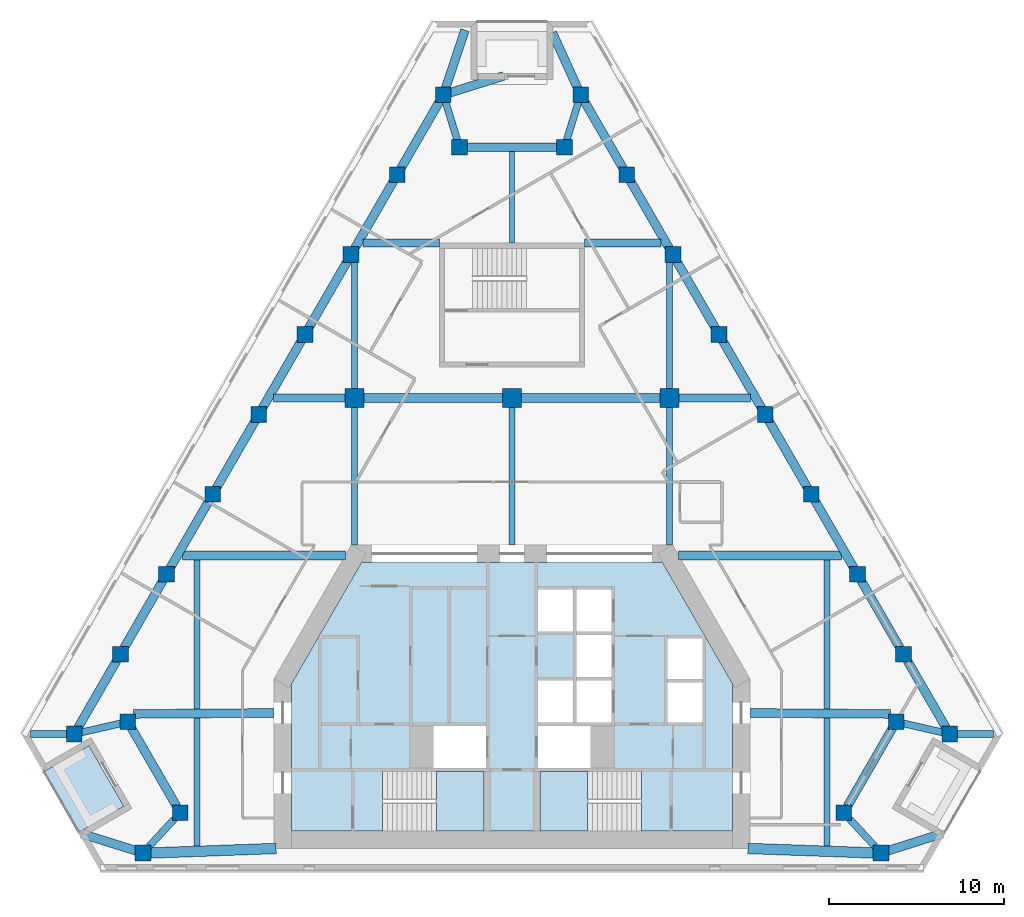
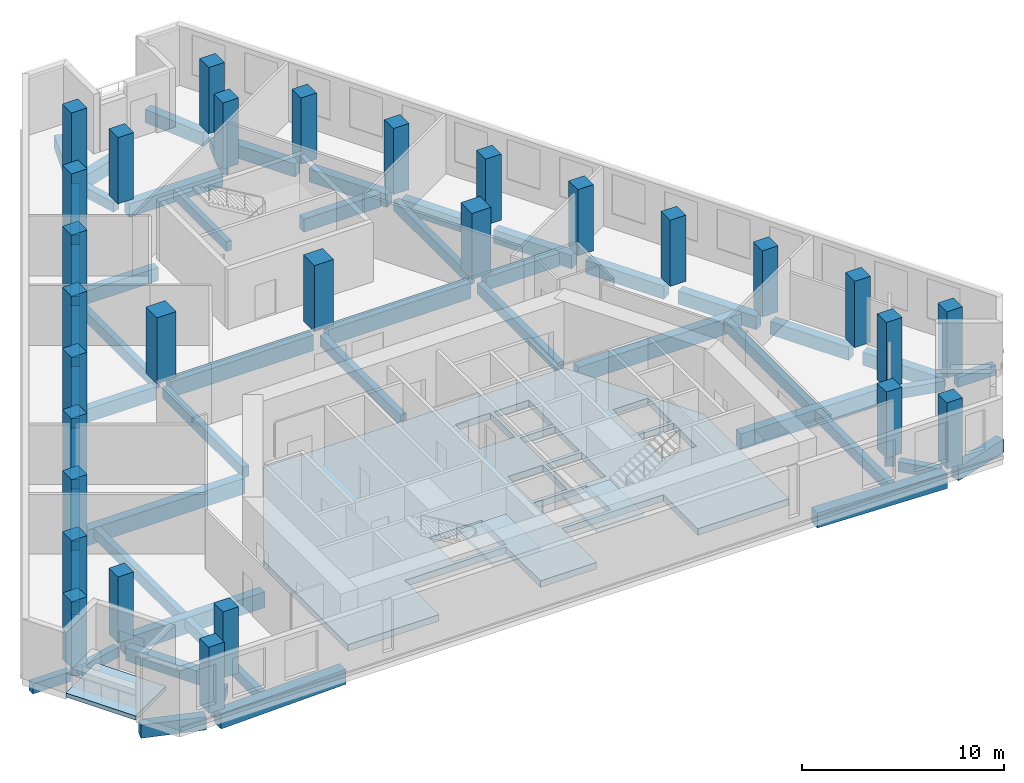
# One storey, part 1 of 9: 54 beams, 29 columns, 4 slabs, 2 elements without a shape of their own.
"""IFC4 building model written with IfcOpenShell, lengths in metres."""

from ifc_helpers import new_model, si_unit, direction, frame, origin, origin_2d, place, context, subcontext, project, spatial, polyline, rectangle, outline, extrude, material, layer, layer_set, material_profile, profile_set, type_object, element, aggregate, save


model = new_model("IFC4")

# Units and contexts
model_context = context("Model", 3, precision=1e-05, world=origin(), true_north=direction((0.0, 1.0)))
body_context = subcontext(model_context, "Body", "Model", "MODEL_VIEW")
ifc_project = project(units=[si_unit("LENGTHUNIT", "METRE"), si_unit("AREAUNIT", "SQUARE_METRE"), si_unit("VOLUMEUNIT", "CUBIC_METRE"), si_unit("PLANEANGLEUNIT", "RADIAN"), si_unit("MASSUNIT", "GRAM", prefix="KILO")], contexts=[model_context])

# Site, building, storey
site_placement = place(None, origin())
site = spatial("IfcSite", under=ifc_project, at=site_placement, CompositionType="ELEMENT")
building_placement = place(site_placement, origin())
building = spatial("IfcBuilding", under=site, at=building_placement, Name="Fogline Exchange Tower", CompositionType="ELEMENT")
storey_placement = place(building_placement, frame((0.0, 0.0, 190.10009765625)))
storey = spatial("IfcBuildingStorey", under=building, at=storey_placement, Name="L42", CompositionType="ELEMENT", Elevation=190.10009765625)

# Columns
ifc_material_1 = material(Name="Concrete C60", Category="concrete")
ifc_material_profile_1 = material_profile(ifc_material_1, rectangle(XDim=1.10009765625, YDim=1.10009765625, at=origin_2d()), Name="RC 1100x1100")
ifc_profile_set_1 = profile_set([ifc_material_profile_1], Name="Concrete C60")
column_type_1 = type_object("IfcColumnType", Name="C05", PredefinedType="COLUMN", material=ifc_profile_set_1)
for number, where, z_axis, x_axis, name in (
    (1, (-9.0, 27.0, 0.0), (0.0, 0.0, 1.0), (1.0, 0.0, 0.0), "IC--9-27"),
    (2, (0.0, 27.0, 0.0), (0.0, 0.0, 1.0), (1.0, 0.0, 0.0), "IC-0-27"),
    (3, (9.0, 27.0, 0.0), (0.0, 0.0, 1.0), (1.0, 0.0, 0.0), "IC-9-27"),
):
    element("IfcColumn", number, at=place(storey_placement, frame(where, z_axis=z_axis, x_axis=x_axis)), inside=storey, type_object=column_type_1, Name=name, PredefinedType="COLUMN", context=body_context, shape_type="SweptSolid", body=[
        extrude(rectangle(XDim=1.10009765625, YDim=1.10009765625, at=origin_2d()), origin(), (0.0, 0.0, 1.0), 4.0),
    ])
ifc_material_profile_2 = material_profile(ifc_material_1, rectangle(XDim=0.89990234375, YDim=0.89990234375, at=origin_2d()), Name="RC 900x900")
ifc_profile_set_2 = profile_set([ifc_material_profile_2], Name="Concrete C60")
column_type_2 = type_object("IfcColumnType", Name="C06", PredefinedType="COLUMN", material=ifc_profile_set_2)
for number, where, z_axis, x_axis, name in (
    (4, (-25.0146484375, 7.794189453125, 0.0), (0.0, 0.0, 1.0), (1.0, 0.0, 0.0), "SW-a"),
    (5, (-21.955322265625, 8.4951171875, 0.0), (0.0, 0.0, 1.0), (1.0, 0.0, 0.0), "SW-p4"),
    (6, (-18.955322265625, 3.299072265625, 0.0), (0.0, 0.0, 1.0), (1.0, 0.0, 0.0), "SW-p3"),
    (7, (-21.092041015625, 1.0, 0.0), (0.0, 0.0, 1.0), (1.0, 0.0, 0.0), "SW-b"),
    (8, (21.092041015625, 1.0, 0.0), (0.0, 0.0, 1.0), (1.0, 0.0, 0.0), "SE-a"),
    (9, (18.955322265625, 3.299072265625, 0.0), (0.0, 0.0, 1.0), (1.0, 0.0, 0.0), "SE-p4"),
    (10, (21.955322265625, 8.4951171875, 0.0), (0.0, 0.0, 1.0), (1.0, 0.0, 0.0), "SE-p3"),
    (11, (25.0146484375, 7.794189453125, 0.0), (0.0, 0.0, 1.0), (1.0, 0.0, 0.0), "SE-b"),
    (12, (22.378173828125, 12.36083984375, 0.0), (0.0, 0.0, 1.0), (1.0, 0.0, 0.0), "E1"),
    (13, (19.74169921875, 16.92724609375, 0.0), (0.0, 0.0, 1.0), (1.0, 0.0, 0.0), "E2"),
    (14, (17.105224609375, 21.493896484375, 0.0), (0.0, 0.0, 1.0), (1.0, 0.0, 0.0), "E3"),
    (15, (14.46875, 26.060302734375, 0.0), (0.0, 0.0, 1.0), (1.0, 0.0, 0.0), "E4"),
    (16, (11.832275390625, 30.626953125, 0.0), (0.0, 0.0, 1.0), (1.0, 0.0, 0.0), "E5"),
    (17, (9.19580078125, 35.193603515625, 0.0), (0.0, 0.0, 1.0), (1.0, 0.0, 0.0), "E6"),
    (18, (6.55908203125, 39.760009765625, 0.0), (0.0, 0.0, 1.0), (1.0, 0.0, 0.0), "E7"),
    (19, (3.922607421875, 44.32666015625, 0.0), (0.0, 0.0, 1.0), (1.0, 0.0, 0.0), "N-a"),
    (20, (3.0, 41.32666015625, 0.0), (0.0, 0.0, 1.0), (1.0, 0.0, 0.0), "N-p4"),
    (21, (-3.0, 41.32666015625, 0.0), (0.0, 0.0, 1.0), (1.0, 0.0, 0.0), "N-p3"),
    (22, (-3.922607421875, 44.32666015625, 0.0), (0.0, 0.0, 1.0), (1.0, 0.0, 0.0), "N-b"),
    (23, (-6.55908203125, 39.760009765625, 0.0), (0.0, 0.0, 1.0), (1.0, 0.0, 0.0), "W1"),
    (24, (-9.19580078125, 35.193603515625, 0.0), (0.0, 0.0, 1.0), (1.0, 0.0, 0.0), "W2"),
    (25, (-11.832275390625, 30.626953125, 0.0), (0.0, 0.0, 1.0), (1.0, 0.0, 0.0), "W3"),
    (26, (-14.46875, 26.060302734375, 0.0), (0.0, 0.0, 1.0), (1.0, 0.0, 0.0), "W4"),
    (27, (-17.105224609375, 21.493896484375, 0.0), (0.0, 0.0, 1.0), (1.0, 0.0, 0.0), "W5"),
    (28, (-19.74169921875, 16.92724609375, 0.0), (0.0, 0.0, 1.0), (1.0, 0.0, 0.0), "W6"),
    (29, (-22.378173828125, 12.36083984375, 0.0), (0.0, 0.0, 1.0), (1.0, 0.0, 0.0), "W7"),
):
    element("IfcColumn", number, at=place(storey_placement, frame(where, z_axis=z_axis, x_axis=x_axis)), inside=storey, type_object=column_type_2, Name=name, PredefinedType="COLUMN", context=body_context, shape_type="SweptSolid", body=[
        extrude(rectangle(XDim=0.89990234375, YDim=0.89990234375, at=origin_2d()), origin(), (0.0, 0.0, 1.0), 4.0),
    ])

# Beams
ifc_material_2 = material(Name="Concrete C40", Category="concrete")
ifc_material_profile_3 = material_profile(ifc_material_2, rectangle(XDim=0.300048828125, YDim=0.60009765625, at=origin_2d()), Name="RC 300x600")
ifc_profile_set_3 = profile_set([ifc_material_profile_3], Name="Concrete C40")
beam_type_1 = type_object("IfcBeamType", Name="B06", PredefinedType="BEAM", material=ifc_profile_set_3)
beam_1_placement = place(storey_placement, frame((0.0, 35.85693359375, -0.7001953125), z_axis=(0.0, 1.0, 0.0), x_axis=(-1.0, 0.0, 0.0)))
element("IfcBeam", 30, at=beam_1_placement, inside=storey, type_object=beam_type_1, Name="SB006", PredefinedType="BEAM", context=body_context, shape_type="SweptSolid", body=[
    extrude(rectangle(XDim=0.300048828125, YDim=0.60009765625, at=origin_2d()), origin(), (0.0, 0.0, 1.0), 5.2197265625),
])
ifc_material_profile_4 = material_profile(ifc_material_2, rectangle(XDim=0.60009765625, YDim=0.89990234375, at=origin_2d()), Name="RC 600x900")
ifc_profile_set_4 = profile_set([ifc_material_profile_4], Name="Concrete C40")
beam_type_2 = type_object("IfcBeamType", Name="B09", PredefinedType="BEAM", material=ifc_profile_set_4)
beam_2_placement = place(storey_placement, frame((-20.761962890625, 0.990234375, -0.85009765625), z_axis=(0.999342679757, 0.036252012589, 0.0), x_axis=(-0.036252012589, 0.999342679757, 0.0)))
element("IfcBeam", 31, at=beam_2_placement, inside=storey, type_object=beam_type_2, Name="RB004", PredefinedType="BEAM", context=body_context, shape_type="SweptSolid", body=[
    extrude(rectangle(XDim=0.60009765625, YDim=0.89990234375, at=origin_2d()), origin(), (0.0, 0.0, 1.0), 7.286865234375),
])
beam_3_placement = place(storey_placement, frame((13.47998046875, 1.25439453125, -0.85009765625), z_axis=(0.999369113188, -0.035515850068, 0.0), x_axis=(0.035515850068, 0.999369113188, 0.0)))
element("IfcBeam", 32, at=beam_3_placement, inside=storey, type_object=beam_type_2, Name="RB005", PredefinedType="BEAM", context=body_context, shape_type="SweptSolid", body=[
    extrude(rectangle(XDim=0.60009765625, YDim=0.89990234375, at=origin_2d()), origin(), (0.0, 0.0, 1.0), 7.28662109375),
])
ifc_material_profile_5 = material_profile(ifc_material_2, rectangle(XDim=0.5, YDim=0.800048828125, at=origin_2d()), Name="RC 500x800")
ifc_profile_set_5 = profile_set([ifc_material_profile_5], Name="Concrete C40")
beam_type_3 = type_object("IfcBeamType", Name="B10", PredefinedType="BEAM", material=ifc_profile_set_5)
for number, where, z_axis, x_axis, name in (
    (33, (-21.75537109375, 8.149169921875, -0.800048828125), (0.499981160238, -0.866036280653, 0.0), (0.866036280653, 0.499981160238, 0.0), "RB002"),
    (34, (19.155029296875, 3.64501953125, -0.800048828125), (0.499981160238, 0.866036280653, 0.0), (-0.866036280653, 0.499981160238, 0.0), "RB007"),
):
    element("IfcBeam", number, at=place(storey_placement, frame(where, z_axis=z_axis, x_axis=x_axis)), inside=storey, type_object=beam_type_3, Name=name, PredefinedType="BEAM", context=body_context, shape_type="SweptSolid", body=[
        extrude(rectangle(XDim=0.5, YDim=0.800048828125, at=origin_2d()), origin(), (0.0, 0.0, 1.0), 5.200927734375),
    ])
beam_4_placement = place(storey_placement, frame((24.814697265625, 8.140380859375, -0.800048828125), z_axis=(-0.500001169707, 0.866024728453, 0.0), x_axis=(-0.866024728453, -0.500001169707, 0.0)))
element("IfcBeam", 35, at=beam_4_placement, inside=storey, type_object=beam_type_3, Name="RB009", PredefinedType="BEAM", context=body_context, shape_type="SweptSolid", body=[
    extrude(rectangle(XDim=0.5, YDim=0.800048828125, at=origin_2d()), origin(), (0.0, 0.0, 1.0), 4.4736328125),
])
beam_5_placement = place(storey_placement, frame((22.17822265625, 12.706787109375, -0.800048828125), z_axis=(-0.499977539641, 0.866038370891, 0.0), x_axis=(-0.866038370891, -0.499977539641, 0.0)))
element("IfcBeam", 36, at=beam_5_placement, inside=storey, type_object=beam_type_3, Name="RB010", PredefinedType="BEAM", context=body_context, shape_type="SweptSolid", body=[
    extrude(rectangle(XDim=0.5, YDim=0.800048828125, at=origin_2d()), origin(), (0.0, 0.0, 1.0), 4.473876953125),
])
for number, where, z_axis, x_axis, name in (
    (37, (19.541748046875, 17.2734375, -0.800048828125), (-0.500001169707, 0.866024728453, 0.0), (-0.866024728453, -0.500001169707, 0.0), "RB011"),
    (38, (16.9052734375, 21.840087890625, -0.800048828125), (-0.500001169707, 0.866024728453, 0.0), (-0.866024728453, -0.500001169707, 0.0), "RB012"),
):
    element("IfcBeam", number, at=place(storey_placement, frame(where, z_axis=z_axis, x_axis=x_axis)), inside=storey, type_object=beam_type_3, Name=name, PredefinedType="BEAM", context=body_context, shape_type="SweptSolid", body=[
        extrude(rectangle(XDim=0.5, YDim=0.800048828125, at=origin_2d()), origin(), (0.0, 0.0, 1.0), 4.4736328125),
    ])
beam_6_placement = place(storey_placement, frame((14.268798828125, 26.406494140625, -0.800048828125), z_axis=(-0.499977539641, 0.866038370891, 0.0), x_axis=(-0.866038370891, -0.499977539641, 0.0)))
element("IfcBeam", 39, at=beam_6_placement, inside=storey, type_object=beam_type_3, Name="RB013", PredefinedType="BEAM", context=body_context, shape_type="SweptSolid", body=[
    extrude(rectangle(XDim=0.5, YDim=0.800048828125, at=origin_2d()), origin(), (0.0, 0.0, 1.0), 4.473876953125),
])
beam_7_placement = place(storey_placement, frame((11.63232421875, 30.97314453125, -0.800048828125), z_axis=(-0.500001169707, 0.866024728453, 0.0), x_axis=(-0.866024728453, -0.500001169707, 0.0)))
element("IfcBeam", 40, at=beam_7_placement, inside=storey, type_object=beam_type_3, Name="RB014", PredefinedType="BEAM", context=body_context, shape_type="SweptSolid", body=[
    extrude(rectangle(XDim=0.5, YDim=0.800048828125, at=origin_2d()), origin(), (0.0, 0.0, 1.0), 4.4736328125),
])
for number, where, z_axis, x_axis, name in (
    (41, (8.995849609375, 35.53955078125, -0.800048828125), (-0.499977539641, 0.866038370891, 0.0), (-0.866038370891, -0.499977539641, 0.0), "RB015"),
    (42, (6.359375, 40.106201171875, -0.800048828125), (-0.499977539641, 0.866038370891, 0.0), (-0.866038370891, -0.499977539641, 0.0), "RB016"),
):
    element("IfcBeam", number, at=place(storey_placement, frame(where, z_axis=z_axis, x_axis=x_axis)), inside=storey, type_object=beam_type_3, Name=name, PredefinedType="BEAM", context=body_context, shape_type="SweptSolid", body=[
        extrude(rectangle(XDim=0.5, YDim=0.800048828125, at=origin_2d()), origin(), (0.0, 0.0, 1.0), 4.473876953125),
    ])
beam_8_placement = place(storey_placement, frame((2.669921875, 41.32666015625, -0.800048828125), z_axis=(-1.0, 0.0, 0.0), x_axis=(0.0, -1.0, 0.0)))
element("IfcBeam", 43, at=beam_8_placement, inside=storey, type_object=beam_type_3, Name="RB018", PredefinedType="BEAM", context=body_context, shape_type="SweptSolid", body=[
    extrude(rectangle(XDim=0.5, YDim=0.800048828125, at=origin_2d()), origin(), (0.0, 0.0, 1.0), 5.33984375),
])
for number, where, z_axis, x_axis, name in (
    (44, (-4.12255859375, 43.980712890625, -0.800048828125), (-0.499977539641, -0.866038370891, 0.0), (0.866038370891, -0.499977539641, 0.0), "RB020"),
    (45, (-6.759033203125, 39.4140625, -0.800048828125), (-0.499977539641, -0.866038370891, 0.0), (0.866038370891, -0.499977539641, 0.0), "RB021"),
):
    element("IfcBeam", number, at=place(storey_placement, frame(where, z_axis=z_axis, x_axis=x_axis)), inside=storey, type_object=beam_type_3, Name=name, PredefinedType="BEAM", context=body_context, shape_type="SweptSolid", body=[
        extrude(rectangle(XDim=0.5, YDim=0.800048828125, at=origin_2d()), origin(), (0.0, 0.0, 1.0), 4.473876953125),
    ])
beam_9_placement = place(storey_placement, frame((-9.3955078125, 34.847412109375, -0.800048828125), z_axis=(-0.500001169707, -0.866024728453, 0.0), x_axis=(0.866024728453, -0.500001169707, 0.0)))
element("IfcBeam", 46, at=beam_9_placement, inside=storey, type_object=beam_type_3, Name="RB022", PredefinedType="BEAM", context=body_context, shape_type="SweptSolid", body=[
    extrude(rectangle(XDim=0.5, YDim=0.800048828125, at=origin_2d()), origin(), (0.0, 0.0, 1.0), 4.4736328125),
])
beam_10_placement = place(storey_placement, frame((-12.031982421875, 30.281005859375, -0.800048828125), z_axis=(-0.499977539641, -0.866038370891, 0.0), x_axis=(0.866038370891, -0.499977539641, 0.0)))
element("IfcBeam", 47, at=beam_10_placement, inside=storey, type_object=beam_type_3, Name="RB023", PredefinedType="BEAM", context=body_context, shape_type="SweptSolid", body=[
    extrude(rectangle(XDim=0.5, YDim=0.800048828125, at=origin_2d()), origin(), (0.0, 0.0, 1.0), 4.473876953125),
])
for number, where, z_axis, x_axis, name in (
    (48, (-14.66845703125, 25.71435546875, -0.800048828125), (-0.500001169707, -0.866024728453, 0.0), (0.866024728453, -0.500001169707, 0.0), "RB024"),
    (49, (-17.304931640625, 21.147705078125, -0.800048828125), (-0.500001169707, -0.866024728453, 0.0), (0.866024728453, -0.500001169707, 0.0), "RB025"),
):
    element("IfcBeam", number, at=place(storey_placement, frame(where, z_axis=z_axis, x_axis=x_axis)), inside=storey, type_object=beam_type_3, Name=name, PredefinedType="BEAM", context=body_context, shape_type="SweptSolid", body=[
        extrude(rectangle(XDim=0.5, YDim=0.800048828125, at=origin_2d()), origin(), (0.0, 0.0, 1.0), 4.4736328125),
    ])
beam_11_placement = place(storey_placement, frame((-19.94140625, 16.581298828125, -0.800048828125), z_axis=(-0.499977539641, -0.866038370891, 0.0), x_axis=(0.866038370891, -0.499977539641, 0.0)))
element("IfcBeam", 50, at=beam_11_placement, inside=storey, type_object=beam_type_3, Name="RB026", PredefinedType="BEAM", context=body_context, shape_type="SweptSolid", body=[
    extrude(rectangle(XDim=0.5, YDim=0.800048828125, at=origin_2d()), origin(), (0.0, 0.0, 1.0), 4.473876953125),
])
beam_12_placement = place(storey_placement, frame((-22.577880859375, 12.0146484375, -0.800048828125), z_axis=(-0.500001169707, -0.866024728453, 0.0), x_axis=(0.866024728453, -0.500001169707, 0.0)))
element("IfcBeam", 51, at=beam_12_placement, inside=storey, type_object=beam_type_3, Name="RB027", PredefinedType="BEAM", context=body_context, shape_type="SweptSolid", body=[
    extrude(rectangle(XDim=0.5, YDim=0.800048828125, at=origin_2d()), origin(), (0.0, 0.0, 1.0), 4.4736328125),
])
beam_13_placement = place(storey_placement, frame((3.767578125, 44.66748046875, -0.800048828125), z_axis=(-0.41445501152, 0.910069801403, 0.0), x_axis=(-0.910069801403, -0.41445501152, 0.0)))
element("IfcBeam", 52, at=beam_13_placement, inside=storey, type_object=beam_type_3, Name="SP028", PredefinedType="BEAM", context=body_context, shape_type="SweptSolid", body=[
    extrude(rectangle(XDim=0.5, YDim=0.800048828125, at=origin_2d()), origin(), (0.0, 0.0, 1.0), 3.525634765625),
])
beam_14_placement = place(storey_placement, frame((-3.810546875, 44.662841796875, -0.800048828125), z_axis=(0.316475647373, 0.948600634946, 0.0), x_axis=(-0.948600634946, 0.316475647373, 0.0)))
element("IfcBeam", 53, at=beam_14_placement, inside=storey, type_object=beam_type_3, Name="SP029", PredefinedType="BEAM", context=body_context, shape_type="SweptSolid", body=[
    extrude(rectangle(XDim=0.5, YDim=0.800048828125, at=origin_2d()), origin(), (0.0, 0.0, 1.0), 3.54541015625),
])
beam_15_placement = place(storey_placement, frame((21.427490234375, 1.106201171875, -0.800048828125), z_axis=(0.9534363812, 0.301594209169, 0.0), x_axis=(-0.301594209169, 0.9534363812, 0.0)))
element("IfcBeam", 54, at=beam_15_placement, inside=storey, type_object=beam_type_3, Name="SP030", PredefinedType="BEAM", context=body_context, shape_type="SweptSolid", body=[
    extrude(rectangle(XDim=0.5, YDim=0.800048828125, at=origin_2d()), origin(), (0.0, 0.0, 1.0), 3.306884765625),
])
beam_16_placement = place(storey_placement, frame((-21.427490234375, 1.10498046875, -0.800048828125), z_axis=(-0.954241264911, 0.299037804202, 0.0), x_axis=(-0.299037804202, -0.954241264911, 0.0)))
element("IfcBeam", 55, at=beam_16_placement, inside=storey, type_object=beam_type_3, Name="SP031", PredefinedType="BEAM", context=body_context, shape_type="SweptSolid", body=[
    extrude(rectangle(XDim=0.5, YDim=0.800048828125, at=origin_2d()), origin(), (0.0, 0.0, 1.0), 3.31640625),
])
beam_17_placement = place(storey_placement, frame((-3.587158203125, 44.431640625, -0.800048828125), z_axis=(0.954371666349, 0.298621369749, 0.0), x_axis=(-0.298621369749, 0.954371666349, 0.0)))
element("IfcBeam", 56, at=beam_17_placement, inside=storey, type_object=beam_type_3, Name="SP034", PredefinedType="BEAM", context=body_context, shape_type="SweptSolid", body=[
    extrude(rectangle(XDim=0.5, YDim=0.800048828125, at=origin_2d()), origin(), (0.0, 0.0, 1.0), 3.250732421875),
])
ifc_material_profile_6 = material_profile(ifc_material_2, rectangle(XDim=0.39990234375, YDim=0.60009765625, at=origin_2d()), Name="RC 400x600")
ifc_profile_set_6 = profile_set([ifc_material_profile_6], Name="Concrete C40")
beam_type_4 = type_object("IfcBeamType", Name="B11", PredefinedType="BEAM", material=ifc_profile_set_6)
beam_18_placement = place(storey_placement, frame((-24.681640625, 7.87060546875, -0.7001953125), z_axis=(0.974743593216, 0.22332695199, 0.0), x_axis=(-0.22332695199, 0.974743593216, 0.0)))
element("IfcBeam", 57, at=beam_18_placement, inside=storey, type_object=beam_type_4, Name="RB001", PredefinedType="BEAM", context=body_context, shape_type="SweptSolid", body=[
    extrude(rectangle(XDim=0.39990234375, YDim=0.60009765625, at=origin_2d()), origin(), (0.0, 0.0, 1.0), 2.455322265625),
])
for number, where, z_axis, x_axis, name in (
    (58, (-19.291748046875, 2.93701171875, -0.7001953125), (-0.680803781492, -0.732465842962, 0.0), (0.732465842962, -0.680803781492, 0.0), "RB003"),
    (59, (20.755615234375, 1.362060546875, -0.7001953125), (-0.680803781492, 0.732465842962, 0.0), (-0.732465842962, -0.680803781492, 0.0), "RB006"),
):
    element("IfcBeam", number, at=place(storey_placement, frame(where, z_axis=z_axis, x_axis=x_axis)), inside=storey, type_object=beam_type_4, Name=name, PredefinedType="BEAM", context=body_context, shape_type="SweptSolid", body=[
        extrude(rectangle(XDim=0.39990234375, YDim=0.60009765625, at=origin_2d()), origin(), (0.0, 0.0, 1.0), 2.150146484375),
    ])
beam_19_placement = place(storey_placement, frame((22.288330078125, 8.4189453125, -0.7001953125), z_axis=(0.974743593216, -0.22332695199, 0.0), x_axis=(0.22332695199, 0.974743593216, 0.0)))
element("IfcBeam", 60, at=beam_19_placement, inside=storey, type_object=beam_type_4, Name="RB008", PredefinedType="BEAM", context=body_context, shape_type="SweptSolid", body=[
    extrude(rectangle(XDim=0.39990234375, YDim=0.60009765625, at=origin_2d()), origin(), (0.0, 0.0, 1.0), 2.455322265625),
])
for number, where, z_axis, x_axis, name in (
    (61, (3.819580078125, 43.991455078125, -0.7001953125), (-0.294022492362, -0.955798500724, 0.0), (0.955798500724, -0.294022492362, 0.0), "RB017"),
    (62, (-3.10302734375, 41.662109375, -0.7001953125), (-0.294022492362, 0.955798500724, 0.0), (-0.955798500724, -0.294022492362, 0.0), "RB019"),
):
    element("IfcBeam", number, at=place(storey_placement, frame(where, z_axis=z_axis, x_axis=x_axis)), inside=storey, type_object=beam_type_4, Name=name, PredefinedType="BEAM", context=body_context, shape_type="SweptSolid", body=[
        extrude(rectangle(XDim=0.39990234375, YDim=0.60009765625, at=origin_2d()), origin(), (0.0, 0.0, 1.0), 2.43701171875),
    ])
beam_20_placement = place(storey_placement, frame((-25.3447265625, 7.794189453125, -0.7001953125), z_axis=(-1.0, 0.0, 0.0), x_axis=(0.0, -1.0, 0.0)))
element("IfcBeam", 63, at=beam_20_placement, inside=storey, type_object=beam_type_4, Name="SP032", PredefinedType="BEAM", context=body_context, shape_type="SweptSolid", body=[
    extrude(rectangle(XDim=0.39990234375, YDim=0.60009765625, at=origin_2d()), origin(), (0.0, 0.0, 1.0), 2.1865234375),
])
beam_21_placement = place(storey_placement, frame((25.3447265625, 7.795654296875, -0.7001953125), z_axis=(0.999990452788, 0.00436970618, 0.0), x_axis=(-0.00436970618, 0.999990452788, 0.0)))
element("IfcBeam", 64, at=beam_21_placement, inside=storey, type_object=beam_type_4, Name="SP033", PredefinedType="BEAM", context=body_context, shape_type="SweptSolid", body=[
    extrude(rectangle(XDim=0.39990234375, YDim=0.60009765625, at=origin_2d()), origin(), (0.0, 0.0, 1.0), 2.178955078125),
])
ifc_material_profile_7 = material_profile(ifc_material_2, rectangle(XDim=0.5, YDim=0.949951171875, at=origin_2d()), Name="RC 500x950")
ifc_profile_set_7 = profile_set([ifc_material_profile_7], Name="Concrete C40")
beam_type_5 = type_object("IfcBeamType", Name="B14", PredefinedType="BEAM", material=ifc_profile_set_7)
for number, where, z_axis, x_axis, name in (
    (65, (-21.625244140625, 8.9443359375, -0.875), (0.999975945397, 0.006936038318, 0.0), (-0.006936038318, 0.999975945397, 0.0), "GB001"),
    (66, (13.60009765625, 9.0, -0.875), (0.999975945397, -0.006936038318, 0.0), (0.006936038318, 0.999975945397, 0.0), "GB002"),
):
    element("IfcBeam", number, at=place(storey_placement, frame(where, z_axis=z_axis, x_axis=x_axis)), inside=storey, type_object=beam_type_5, Name=name, PredefinedType="BEAM", context=body_context, shape_type="SweptSolid", body=[
        extrude(rectangle(XDim=0.5, YDim=0.949951171875, at=origin_2d()), origin(), (0.0, 0.0, 1.0), 8.025390625),
    ])
for number, where, z_axis, x_axis, name in (
    (67, (-18.833740234375, 18.0, -0.875), (1.0, 0.0, 0.0), (0.0, 1.0, 0.0), "GB003"),
    (68, (9.527099609375, 18.0, -0.875), (1.0, 0.0, 0.0), (0.0, 1.0, 0.0), "GB004"),
):
    element("IfcBeam", number, at=place(storey_placement, frame(where, z_axis=z_axis, x_axis=x_axis)), inside=storey, type_object=beam_type_5, Name=name, PredefinedType="BEAM", context=body_context, shape_type="SweptSolid", body=[
        extrude(rectangle(XDim=0.5, YDim=0.949951171875, at=origin_2d()), origin(), (0.0, 0.0, 1.0), 9.306640625),
    ])
for number, where, z_axis, x_axis, name in (
    (69, (-8.570068359375, 27.0, -0.875), (1.0, 0.0, 0.0), (0.0, 1.0, 0.0), "GB006"),
    (70, (0.429931640625, 27.0, -0.875), (1.0, 0.0, 0.0), (0.0, 1.0, 0.0), "GB007"),
):
    element("IfcBeam", number, at=place(storey_placement, frame(where, z_axis=z_axis, x_axis=x_axis)), inside=storey, type_object=beam_type_5, Name=name, PredefinedType="BEAM", context=body_context, shape_type="SweptSolid", body=[
        extrude(rectangle(XDim=0.5, YDim=0.949951171875, at=origin_2d()), origin(), (0.0, 0.0, 1.0), 8.14013671875),
    ])
ifc_material_profile_8 = material_profile(ifc_material_2, rectangle(XDim=0.35009765625, YDim=0.64990234375, at=origin_2d()), Name="RC 350x650")
ifc_profile_set_8 = profile_set([ifc_material_profile_8], Name="Concrete C40")
beam_type_6 = type_object("IfcBeamType", Name="B16", PredefinedType="BEAM", material=ifc_profile_set_8)
beam_22_placement = place(storey_placement, frame((-18.0, 1.390625, -0.72509765625), z_axis=(0.0, 1.0, 0.0), x_axis=(-1.0, 0.0, 0.0)))
element("IfcBeam", 71, at=beam_22_placement, inside=storey, type_object=beam_type_6, Name="SB001", PredefinedType="BEAM", context=body_context, shape_type="SweptSolid", body=[
    extrude(rectangle(XDim=0.35009765625, YDim=0.64990234375, at=origin_2d()), origin(), (0.0, 0.0, 1.0), 7.328857421875),
])
beam_23_placement = place(storey_placement, frame((-18.0, 9.219482421875, -0.72509765625), z_axis=(0.0, 1.0, 0.0), x_axis=(-1.0, 0.0, 0.0)))
element("IfcBeam", 72, at=beam_23_placement, inside=storey, type_object=beam_type_6, Name="SB002", PredefinedType="BEAM", context=body_context, shape_type="SweptSolid", body=[
    extrude(rectangle(XDim=0.35009765625, YDim=0.64990234375, at=origin_2d()), origin(), (0.0, 0.0, 1.0), 8.530517578125),
])
beam_24_placement = place(storey_placement, frame((-9.0, 18.60009765625, -0.72509765625), z_axis=(0.0, 1.0, 0.0), x_axis=(-1.0, 0.0, 0.0)))
element("IfcBeam", 73, at=beam_24_placement, inside=storey, type_object=beam_type_6, Name="SB003", PredefinedType="BEAM", context=body_context, shape_type="SweptSolid", body=[
    extrude(rectangle(XDim=0.35009765625, YDim=0.64990234375, at=origin_2d()), origin(), (0.0, 0.0, 1.0), 7.969970703125),
])
beam_25_placement = place(storey_placement, frame((-9.0, 27.429931640625, -0.72509765625), z_axis=(0.0, 1.0, 0.0), x_axis=(-1.0, 0.0, 0.0)))
element("IfcBeam", 74, at=beam_25_placement, inside=storey, type_object=beam_type_6, Name="SB004", PredefinedType="BEAM", context=body_context, shape_type="SweptSolid", body=[
    extrude(rectangle(XDim=0.35009765625, YDim=0.64990234375, at=origin_2d()), origin(), (0.0, 0.0, 1.0), 7.43359375),
])
for number, where, z_axis, x_axis, name in (
    (75, (0.0, 18.60009765625, -0.72509765625), (0.0, 1.0, 0.0), (-1.0, 0.0, 0.0), "SB005"),
    (76, (9.0, 18.60009765625, -0.72509765625), (0.0, 1.0, 0.0), (-1.0, 0.0, 0.0), "SB007"),
):
    element("IfcBeam", number, at=place(storey_placement, frame(where, z_axis=z_axis, x_axis=x_axis)), inside=storey, type_object=beam_type_6, Name=name, PredefinedType="BEAM", context=body_context, shape_type="SweptSolid", body=[
        extrude(rectangle(XDim=0.35009765625, YDim=0.64990234375, at=origin_2d()), origin(), (0.0, 0.0, 1.0), 7.969970703125),
    ])
beam_26_placement = place(storey_placement, frame((9.0, 27.429931640625, -0.72509765625), z_axis=(0.0, 1.0, 0.0), x_axis=(-1.0, 0.0, 0.0)))
element("IfcBeam", 77, at=beam_26_placement, inside=storey, type_object=beam_type_6, Name="SB008", PredefinedType="BEAM", context=body_context, shape_type="SweptSolid", body=[
    extrude(rectangle(XDim=0.35009765625, YDim=0.64990234375, at=origin_2d()), origin(), (0.0, 0.0, 1.0), 7.43359375),
])
beam_27_placement = place(storey_placement, frame((18.0, 1.39404296875, -0.72509765625), z_axis=(0.0, 1.0, 0.0), x_axis=(-1.0, 0.0, 0.0)))
element("IfcBeam", 78, at=beam_27_placement, inside=storey, type_object=beam_type_6, Name="SB009", PredefinedType="BEAM", context=body_context, shape_type="SweptSolid", body=[
    extrude(rectangle(XDim=0.35009765625, YDim=0.64990234375, at=origin_2d()), origin(), (0.0, 0.0, 1.0), 7.325439453125),
])
beam_28_placement = place(storey_placement, frame((18.0, 9.219482421875, -0.72509765625), z_axis=(0.0, 1.0, 0.0), x_axis=(-1.0, 0.0, 0.0)))
element("IfcBeam", 79, at=beam_28_placement, inside=storey, type_object=beam_type_6, Name="SB010", PredefinedType="BEAM", context=body_context, shape_type="SweptSolid", body=[
    extrude(rectangle(XDim=0.35009765625, YDim=0.64990234375, at=origin_2d()), origin(), (0.0, 0.0, 1.0), 8.530517578125),
])
ifc_material_profile_9 = material_profile(ifc_material_2, rectangle(XDim=0.449951171875, YDim=0.800048828125, at=origin_2d()), Name="RC 450x800")
ifc_profile_set_9 = profile_set([ifc_material_profile_9], Name="Concrete C40")
beam_type_7 = type_object("IfcBeamType", Name="B18", PredefinedType="BEAM", material=ifc_profile_set_9)
for number, where, z_axis, x_axis, name in (
    (80, (-13.637451171875, 27.0, -0.800048828125), (1.0, 0.0, 0.0), (0.0, 1.0, 0.0), "GB005"),
    (81, (9.429931640625, 27.0, -0.800048828125), (1.0, 0.0, 0.0), (0.0, 1.0, 0.0), "GB008"),
):
    element("IfcBeam", number, at=place(storey_placement, frame(where, z_axis=z_axis, x_axis=x_axis)), inside=storey, type_object=beam_type_7, Name=name, PredefinedType="BEAM", context=body_context, shape_type="SweptSolid", body=[
        extrude(rectangle(XDim=0.449951171875, YDim=0.800048828125, at=origin_2d()), origin(), (0.0, 0.0, 1.0), 4.20751953125),
    ])
for number, where, z_axis, x_axis, name in (
    (82, (-8.52392578125, 35.85693359375, -0.800048828125), (1.0, 0.0, 0.0), (0.0, 1.0, 0.0), "GB009"),
    (83, (4.14990234375, 35.85693359375, -0.800048828125), (1.0, 0.0, 0.0), (0.0, 1.0, 0.0), "GB010"),
):
    element("IfcBeam", number, at=place(storey_placement, frame(where, z_axis=z_axis, x_axis=x_axis)), inside=storey, type_object=beam_type_7, Name=name, PredefinedType="BEAM", context=body_context, shape_type="SweptSolid", body=[
        extrude(rectangle(XDim=0.449951171875, YDim=0.800048828125, at=origin_2d()), origin(), (0.0, 0.0, 1.0), 4.3740234375),
    ])

# Slabs
ifc_layer_1 = layer(ifc_material_2, 0.25)
ifc_layer_set_1 = layer_set([ifc_layer_1], Name="DK1")
slab_type_1 = type_object("IfcSlabType", Name="DK1", PredefinedType="FLOOR", material=ifc_layer_set_1)
slab_1_placement = place(storey_placement, frame((0.0, 0.0, -0.25)))
element("IfcSlab", 84, at=slab_1_placement, inside=storey, type_object=slab_type_1, Name="Balcony L42 SW", PredefinedType="FLOOR", context=body_context, shape_type="SweptSolid", body=[
    extrude(outline(polyline([(-26.78125, 5.629150390625), (-24.78125, 2.1650390625), (-22.18310546875, 3.6650390625), (-24.18310546875, 7.129150390625), (-26.78125, 5.629150390625)])), origin(), (0.0, 0.0, 1.0), 0.25),
])
ifc_layer_2 = layer(ifc_material_2, 0.39990234375)
ifc_layer_set_2 = layer_set([ifc_layer_2], Name="S03")
slab_type_2 = type_object("IfcSlabType", Name="S03", PredefinedType="FLOOR", material=ifc_layer_set_2)
slab_2_placement = place(storey_placement, frame((0.0, 0.0, -0.400146484375)))
element("IfcSlab", 85, at=slab_2_placement, inside=storey, type_object=slab_type_2, Name="Core floor slab", PredefinedType="FLOOR", context=body_context, shape_type="SweptSolid", body=[
    extrude(outline(polyline([(-12.60009765625, 2.25), (-12.60009765625, 10.677490234375), (-8.603271484375, 17.60009765625), (8.603271484375, 17.60009765625), (12.60009765625, 10.677490234375), (12.60009765625, 2.25), (7.389892578125, 2.25), (7.389892578125, 5.64990234375), (1.60009765625, 5.64990234375), (1.60009765625, 2.25), (-1.60009765625, 2.25), (-1.60009765625, 5.64990234375), (-7.389892578125, 5.64990234375), (-7.389892578125, 2.25), (-12.60009765625, 2.25)]), holes=[polyline([(-4.5, 8.25), (-4.5, 5.85009765625), (-1.5, 5.85009765625), (-1.5, 8.25), (-4.5, 8.25)]), polyline([(4.5, 8.25), (1.5, 8.25), (1.5, 5.85009765625), (4.5, 5.85009765625), (4.5, 8.25)]), polyline([(3.5, 10.85009765625), (1.5, 10.85009765625), (1.5, 8.449951171875), (3.5, 8.449951171875), (3.5, 10.85009765625)]), polyline([(1.5, 16.050048828125), (1.5, 13.64990234375), (3.5, 13.64990234375), (3.5, 16.050048828125), (1.5, 16.050048828125)]), polyline([(10.89990234375, 10.75), (8.89990234375, 10.75), (8.89990234375, 8.449951171875), (10.89990234375, 8.449951171875), (10.89990234375, 10.75)]), polyline([(5.699951171875, 10.85009765625), (3.699951171875, 10.85009765625), (3.699951171875, 8.449951171875), (5.699951171875, 8.449951171875), (5.699951171875, 10.85009765625)]), polyline([(8.89990234375, 13.25), (8.89990234375, 10.949951171875), (10.89990234375, 10.949951171875), (10.89990234375, 13.25), (8.89990234375, 13.25)]), polyline([(5.699951171875, 13.449951171875), (3.699951171875, 13.449951171875), (3.699951171875, 11.050048828125), (5.699951171875, 11.050048828125), (5.699951171875, 13.449951171875)]), polyline([(5.699951171875, 16.050048828125), (3.699951171875, 16.050048828125), (3.699951171875, 13.64990234375), (5.699951171875, 13.64990234375), (5.699951171875, 16.050048828125)])]), origin(), (0.0, 0.0, 1.0), 0.400146484375),
])

# Stair, slab
stair_type = type_object("IfcStairType", Name="STR24-1667", PredefinedType="HALF_TURN_STAIR", material=ifc_material_2)
stair_1_placement = place(storey_placement, origin())
stair_1 = element("IfcStair", 86, at=stair_1_placement, inside=storey, type_object=stair_type, Name="Stair ST1", PredefinedType="HALF_TURN_STAIR")
ifc_layer_3 = layer(ifc_material_2, 0.199951171875)
ifc_layer_set_3 = layer_set([ifc_layer_3], Name="SL200")
slab_type_3 = type_object("IfcSlabType", Name="SL200", PredefinedType="LANDING", material=ifc_layer_set_3)
slab_3_placement = place(storey_placement, frame((0.0, 0.0, 1.7998046875)))
slab_3 = element("IfcSlab", 87, at=slab_3_placement, type_object=slab_type_3, Name="ST1 landing 1", PredefinedType="LANDING", context=body_context, shape_type="SweptSolid", body=[
    extrude(outline(polyline([(-4.320068359375, 2.25), (-1.60009765625, 2.25), (-1.60009765625, 5.64990234375), (-4.320068359375, 5.64990234375), (-4.320068359375, 2.25)])), origin(), (0.0, 0.0, 1.0), 0.2001953125),
])
aggregate(stair_1, [slab_3])

stair_2_placement = place(storey_placement, origin())
stair_2 = element("IfcStair", 88, at=stair_2_placement, inside=storey, type_object=stair_type, Name="Stair ST2", PredefinedType="HALF_TURN_STAIR")
slab_4_placement = place(storey_placement, frame((0.0, 0.0, 1.7998046875)))
slab_4 = element("IfcSlab", 89, at=slab_4_placement, type_object=slab_type_3, Name="ST2 landing 1", PredefinedType="LANDING", context=body_context, shape_type="SweptSolid", body=[
    extrude(outline(polyline([(1.60009765625, 2.25), (4.320068359375, 2.25), (4.320068359375, 5.64990234375), (1.60009765625, 5.64990234375), (1.60009765625, 2.25)])), origin(), (0.0, 0.0, 1.0), 0.2001953125),
])
aggregate(stair_2, [slab_4])

save(model, "model.ifc")
